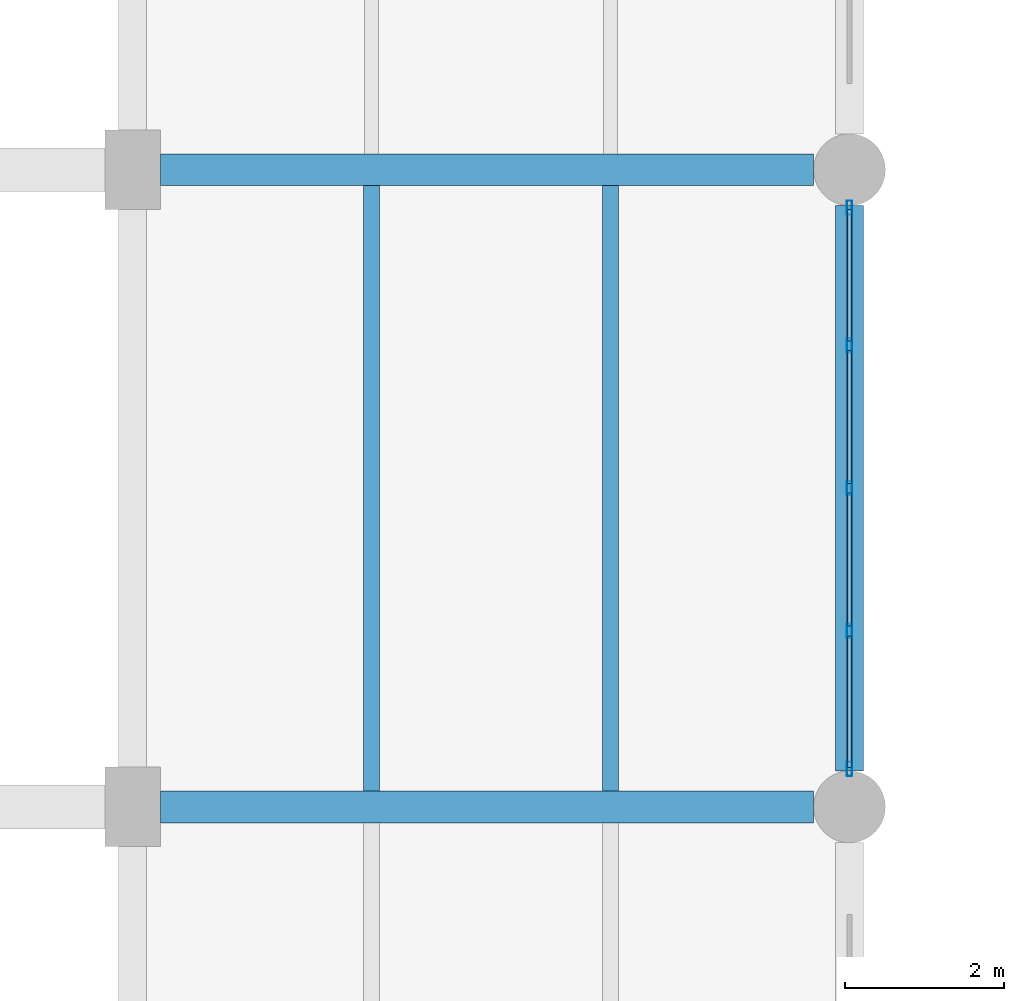
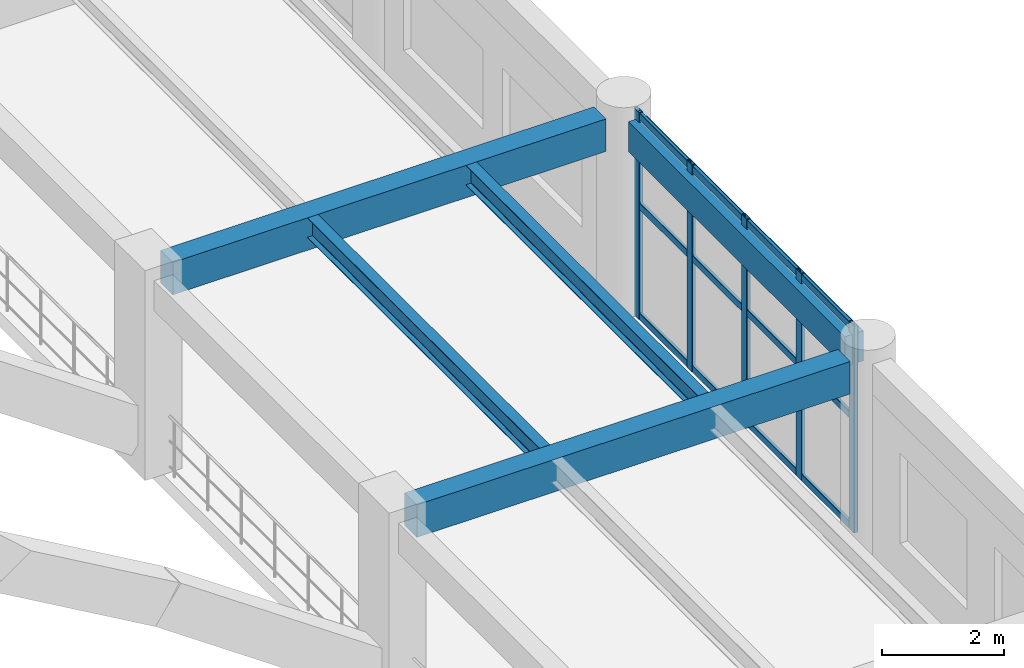
# One storey, part 77 of 148: 17 members, 5 beams, 1 element without a shape of its own.
"""IFC4 building model written with IfcOpenShell, lengths in metres."""

from ifc_helpers import new_model, si_unit, derived_unit, direction, frame, origin, origin_2d, place, context, subcontext, project, spatial, rectangle, hollow_rectangle, i_section, extrude, material, material_profile, profile_set, type_object, element, aggregate, save


model = new_model("IFC4")

# Units and contexts
model_context = context("Model", 3, precision=1e-05, world=origin(), true_north=direction((0.0, 1.0)))
body_context = subcontext(model_context, "Body", "Model", "MODEL_VIEW")
ifc_project = project(units=[si_unit("LENGTHUNIT", "METRE"), si_unit("AREAUNIT", "SQUARE_METRE"), si_unit("VOLUMEUNIT", "CUBIC_METRE"), si_unit("PLANEANGLEUNIT", "RADIAN"), si_unit("MASSUNIT", "GRAM", prefix="KILO"), derived_unit("THERMALTRANSMITTANCEUNIT", [(si_unit("MASSUNIT", "GRAM", prefix="KILO"), 1), (si_unit("TIMEUNIT", "SECOND"), -3), (si_unit("THERMODYNAMICTEMPERATUREUNIT", "KELVIN"), -1)])], contexts=[model_context])

# Site, building, storey
site_placement = place(None, origin())
site = spatial("IfcSite", under=ifc_project, at=site_placement, CompositionType="ELEMENT")
building_placement = place(site_placement, origin())
building = spatial("IfcBuilding", under=site, at=building_placement, Name="Zhenchuan Archway Interchange", CompositionType="ELEMENT")
storey_placement = place(building_placement, frame((0.0, 0.0, 10.199951171875)))
storey = spatial("IfcBuildingStorey", under=building, at=storey_placement, Name="L02", CompositionType="ELEMENT", Elevation=10.199951171875)

# Beams
ifc_material_1 = material(Name="Concrete C40", Category="concrete")
ifc_material_profile_1 = material_profile(ifc_material_1, rectangle(XDim=0.39990234375, YDim=0.64990234375, at=origin_2d()), Name="RC 400x650")
ifc_profile_set_1 = profile_set([ifc_material_profile_1], Name="Concrete C40")
beam_type_1 = type_object("IfcBeamType", Name="BM_RC_400x650", PredefinedType="BEAM", material=ifc_profile_set_1)
for number, where, z_axis, x_axis, name in (
    (1, (63.35009765625, 64.0, 3.614990234375), (1.0, 0.0, 0.0), (0.0, 1.0, 0.0), "Beam J:8-9 (L02)"),
    (2, (63.35009765625, 72.0, 3.614990234375), (1.0, 0.0, 0.0), (0.0, 1.0, 0.0), "Beam K:8-9 (L02)"),
):
    element("IfcBeam", number, at=place(storey_placement, frame(where, z_axis=z_axis, x_axis=x_axis)), inside=storey, type_object=beam_type_1, Name=name, PredefinedType="BEAM", context=body_context, shape_type="SweptSolid", body=[
        extrude(rectangle(XDim=0.39990234375, YDim=0.64990234375, at=origin_2d()), origin(), (0.0, 0.0, 1.0), 8.199951171875),
    ])

# Curtain wall, members
ifc_material_2 = material(Name="Anodised Aluminium", Category="aluminium")
curtain_wall_type = type_object("IfcCurtainWallType", Name="CW_UNIT_1", PredefinedType="NOTDEFINED", material=ifc_material_2)
curtain_wall_placement = place(storey_placement, origin())
curtain_wall = element("IfcCurtainWall", 3, at=curtain_wall_placement, inside=storey, type_object=curtain_wall_type, Name="Unitised curtain wall CW:L02:120", PredefinedType="NOTDEFINED")
ifc_material_profile_2 = material_profile(ifc_material_2, hollow_rectangle(XDim=0.070068359375, YDim=0.179931640625, WallThickness=0.00390625, InnerFilletRadius=0.00390625, OuterFilletRadius=0.008056640625, at=origin_2d()), Name="ALU 180x70x4")
ifc_profile_set_2 = profile_set([ifc_material_profile_2], Name="Anodised Aluminium")
member_type_1 = type_object("IfcMemberType", Name="CW_MUL_180", PredefinedType="MULLION", material=ifc_profile_set_2)
member_1_placement = place(storey_placement, frame((72.0, 71.52294921875, 0.0), z_axis=(0.0, 0.0, 1.0), x_axis=(1.0, 0.0, 0.0)))
member_1 = element("IfcMember", 4, at=member_1_placement, type_object=member_type_1, Name="CW:L02:120 mullion 0", PredefinedType="MULLION", context=body_context, shape_type="SweptSolid", body=[
    extrude(hollow_rectangle(XDim=0.070068359375, YDim=0.179931640625, WallThickness=0.00390625, InnerFilletRadius=0.00390625, OuterFilletRadius=0.008056640625, at=origin_2d()), origin(), (0.0, 0.0, 1.0), 4.14013671875),
])
member_2_placement = place(storey_placement, frame((72.0, 69.79150390625, 0.0), z_axis=(0.0, 0.0, 1.0), x_axis=(1.0, 0.0, 0.0)))
member_2 = element("IfcMember", 5, at=member_2_placement, type_object=member_type_1, Name="CW:L02:120 mullion 1", PredefinedType="MULLION", context=body_context, shape_type="SweptSolid", body=[
    extrude(hollow_rectangle(XDim=0.070068359375, YDim=0.179931640625, WallThickness=0.00390625, InnerFilletRadius=0.00390625, OuterFilletRadius=0.008056640625, at=origin_2d()), origin(), (0.0, 0.0, 1.0), 4.14013671875),
])
member_3_placement = place(storey_placement, frame((72.0, 68.0, 0.0), z_axis=(0.0, 0.0, 1.0), x_axis=(1.0, 0.0, 0.0)))
member_3 = element("IfcMember", 6, at=member_3_placement, type_object=member_type_1, Name="CW:L02:120 mullion 2", PredefinedType="MULLION", context=body_context, shape_type="SweptSolid", body=[
    extrude(hollow_rectangle(XDim=0.070068359375, YDim=0.179931640625, WallThickness=0.00390625, InnerFilletRadius=0.00390625, OuterFilletRadius=0.008056640625, at=origin_2d()), origin(), (0.0, 0.0, 1.0), 4.14013671875),
])
member_4_placement = place(storey_placement, frame((72.0, 66.20849609375, 0.0), z_axis=(0.0, 0.0, 1.0), x_axis=(1.0, 0.0, 0.0)))
member_4 = element("IfcMember", 7, at=member_4_placement, type_object=member_type_1, Name="CW:L02:120 mullion 3", PredefinedType="MULLION", context=body_context, shape_type="SweptSolid", body=[
    extrude(hollow_rectangle(XDim=0.070068359375, YDim=0.179931640625, WallThickness=0.00390625, InnerFilletRadius=0.00390625, OuterFilletRadius=0.008056640625, at=origin_2d()), origin(), (0.0, 0.0, 1.0), 4.14013671875),
])
member_5_placement = place(storey_placement, frame((72.0, 64.47705078125, 0.0), z_axis=(0.0, 0.0, 1.0), x_axis=(1.0, 0.0, 0.0)))
member_5 = element("IfcMember", 8, at=member_5_placement, type_object=member_type_1, Name="CW:L02:120 mullion 4", PredefinedType="MULLION", context=body_context, shape_type="SweptSolid", body=[
    extrude(hollow_rectangle(XDim=0.070068359375, YDim=0.179931640625, WallThickness=0.00390625, InnerFilletRadius=0.00390625, OuterFilletRadius=0.008056640625, at=origin_2d()), origin(), (0.0, 0.0, 1.0), 4.14013671875),
])
ifc_material_profile_3 = material_profile(ifc_material_2, hollow_rectangle(XDim=0.06005859375, YDim=0.139892578125, WallThickness=0.00341796875, InnerFilletRadius=0.00341796875, OuterFilletRadius=0.007080078125, at=origin_2d()), Name="ALU 140x60x3.5")
ifc_profile_set_3 = profile_set([ifc_material_profile_3], Name="Anodised Aluminium")
member_type_2 = type_object("IfcMemberType", Name="CW_TRN_140", PredefinedType="USERDEFINED", material=ifc_profile_set_3)
member_6_placement = place(storey_placement, frame((72.0, 71.5029296875, 0.06005859375), z_axis=(0.0, -1.0, 0.0), x_axis=(1.0, 0.0, 0.0)))
member_6 = element("IfcMember", 9, at=member_6_placement, type_object=member_type_2, Name="CW:L02:120 transom 0-1", ObjectType="TRANSOM", PredefinedType="USERDEFINED", context=body_context, shape_type="SweptSolid", body=[
    extrude(hollow_rectangle(XDim=0.06005859375, YDim=0.139892578125, WallThickness=0.00341796875, InnerFilletRadius=0.00341796875, OuterFilletRadius=0.007080078125, at=origin_2d()), origin(), (0.0, 0.0, 1.0), 1.6513671875),
])
member_7_placement = place(storey_placement, frame((72.0, 71.5029296875, 2.26611328125), z_axis=(0.0, -1.0, 0.0), x_axis=(1.0, 0.0, 0.0)))
member_7 = element("IfcMember", 10, at=member_7_placement, type_object=member_type_2, Name="CW:L02:120 transom 0-2", ObjectType="TRANSOM", PredefinedType="USERDEFINED", context=body_context, shape_type="SweptSolid", body=[
    extrude(hollow_rectangle(XDim=0.06005859375, YDim=0.139892578125, WallThickness=0.00341796875, InnerFilletRadius=0.00341796875, OuterFilletRadius=0.007080078125, at=origin_2d()), origin(), (0.0, 0.0, 1.0), 1.6513671875),
])
member_8_placement = place(storey_placement, frame((72.0, 71.5029296875, 4.06005859375), z_axis=(0.0, -1.0, 0.0), x_axis=(1.0, 0.0, 0.0)))
member_8 = element("IfcMember", 11, at=member_8_placement, type_object=member_type_2, Name="CW:L02:120 transom 0-3", ObjectType="TRANSOM", PredefinedType="USERDEFINED", context=body_context, shape_type="SweptSolid", body=[
    extrude(hollow_rectangle(XDim=0.06005859375, YDim=0.139892578125, WallThickness=0.00341796875, InnerFilletRadius=0.00341796875, OuterFilletRadius=0.007080078125, at=origin_2d()), origin(), (0.0, 0.0, 1.0), 1.6513671875),
])
member_9_placement = place(storey_placement, frame((72.0, 69.7314453125, 0.06005859375), z_axis=(0.0, -1.0, 0.0), x_axis=(1.0, 0.0, 0.0)))
member_9 = element("IfcMember", 12, at=member_9_placement, type_object=member_type_2, Name="CW:L02:120 transom 1-1", ObjectType="TRANSOM", PredefinedType="USERDEFINED", context=body_context, shape_type="SweptSolid", body=[
    extrude(hollow_rectangle(XDim=0.06005859375, YDim=0.139892578125, WallThickness=0.00341796875, InnerFilletRadius=0.00341796875, OuterFilletRadius=0.007080078125, at=origin_2d()), origin(), (0.0, 0.0, 1.0), 1.67138671875),
])
member_10_placement = place(storey_placement, frame((72.0, 69.7314453125, 2.26611328125), z_axis=(0.0, -1.0, 0.0), x_axis=(1.0, 0.0, 0.0)))
member_10 = element("IfcMember", 13, at=member_10_placement, type_object=member_type_2, Name="CW:L02:120 transom 1-2", ObjectType="TRANSOM", PredefinedType="USERDEFINED", context=body_context, shape_type="SweptSolid", body=[
    extrude(hollow_rectangle(XDim=0.06005859375, YDim=0.139892578125, WallThickness=0.00341796875, InnerFilletRadius=0.00341796875, OuterFilletRadius=0.007080078125, at=origin_2d()), origin(), (0.0, 0.0, 1.0), 1.67138671875),
])
member_11_placement = place(storey_placement, frame((72.0, 69.7314453125, 4.06005859375), z_axis=(0.0, -1.0, 0.0), x_axis=(1.0, 0.0, 0.0)))
member_11 = element("IfcMember", 14, at=member_11_placement, type_object=member_type_2, Name="CW:L02:120 transom 1-3", ObjectType="TRANSOM", PredefinedType="USERDEFINED", context=body_context, shape_type="SweptSolid", body=[
    extrude(hollow_rectangle(XDim=0.06005859375, YDim=0.139892578125, WallThickness=0.00341796875, InnerFilletRadius=0.00341796875, OuterFilletRadius=0.007080078125, at=origin_2d()), origin(), (0.0, 0.0, 1.0), 1.67138671875),
])
member_12_placement = place(storey_placement, frame((72.0, 67.93994140625, 0.06005859375), z_axis=(0.0, -1.0, 0.0), x_axis=(1.0, 0.0, 0.0)))
member_12 = element("IfcMember", 15, at=member_12_placement, type_object=member_type_2, Name="CW:L02:120 transom 2-1", ObjectType="TRANSOM", PredefinedType="USERDEFINED", context=body_context, shape_type="SweptSolid", body=[
    extrude(hollow_rectangle(XDim=0.06005859375, YDim=0.139892578125, WallThickness=0.00341796875, InnerFilletRadius=0.00341796875, OuterFilletRadius=0.007080078125, at=origin_2d()), origin(), (0.0, 0.0, 1.0), 1.67138671875),
])
member_13_placement = place(storey_placement, frame((72.0, 67.93994140625, 2.26611328125), z_axis=(0.0, -1.0, 0.0), x_axis=(1.0, 0.0, 0.0)))
member_13 = element("IfcMember", 16, at=member_13_placement, type_object=member_type_2, Name="CW:L02:120 transom 2-2", ObjectType="TRANSOM", PredefinedType="USERDEFINED", context=body_context, shape_type="SweptSolid", body=[
    extrude(hollow_rectangle(XDim=0.06005859375, YDim=0.139892578125, WallThickness=0.00341796875, InnerFilletRadius=0.00341796875, OuterFilletRadius=0.007080078125, at=origin_2d()), origin(), (0.0, 0.0, 1.0), 1.67138671875),
])
member_14_placement = place(storey_placement, frame((72.0, 67.93994140625, 4.06005859375), z_axis=(0.0, -1.0, 0.0), x_axis=(1.0, 0.0, 0.0)))
member_14 = element("IfcMember", 17, at=member_14_placement, type_object=member_type_2, Name="CW:L02:120 transom 2-3", ObjectType="TRANSOM", PredefinedType="USERDEFINED", context=body_context, shape_type="SweptSolid", body=[
    extrude(hollow_rectangle(XDim=0.06005859375, YDim=0.139892578125, WallThickness=0.00341796875, InnerFilletRadius=0.00341796875, OuterFilletRadius=0.007080078125, at=origin_2d()), origin(), (0.0, 0.0, 1.0), 1.67138671875),
])
member_15_placement = place(storey_placement, frame((72.0, 66.1484375, 0.06005859375), z_axis=(0.0, -1.0, 0.0), x_axis=(1.0, 0.0, 0.0)))
member_15 = element("IfcMember", 18, at=member_15_placement, type_object=member_type_2, Name="CW:L02:120 transom 3-1", ObjectType="TRANSOM", PredefinedType="USERDEFINED", context=body_context, shape_type="SweptSolid", body=[
    extrude(hollow_rectangle(XDim=0.06005859375, YDim=0.139892578125, WallThickness=0.00341796875, InnerFilletRadius=0.00341796875, OuterFilletRadius=0.007080078125, at=origin_2d()), origin(), (0.0, 0.0, 1.0), 1.6513671875),
])
member_16_placement = place(storey_placement, frame((72.0, 66.1484375, 2.26611328125), z_axis=(0.0, -1.0, 0.0), x_axis=(1.0, 0.0, 0.0)))
member_16 = element("IfcMember", 19, at=member_16_placement, type_object=member_type_2, Name="CW:L02:120 transom 3-2", ObjectType="TRANSOM", PredefinedType="USERDEFINED", context=body_context, shape_type="SweptSolid", body=[
    extrude(hollow_rectangle(XDim=0.06005859375, YDim=0.139892578125, WallThickness=0.00341796875, InnerFilletRadius=0.00341796875, OuterFilletRadius=0.007080078125, at=origin_2d()), origin(), (0.0, 0.0, 1.0), 1.6513671875),
])
member_17_placement = place(storey_placement, frame((72.0, 66.1484375, 4.06005859375), z_axis=(0.0, -1.0, 0.0), x_axis=(1.0, 0.0, 0.0)))
member_17 = element("IfcMember", 20, at=member_17_placement, type_object=member_type_2, Name="CW:L02:120 transom 3-3", ObjectType="TRANSOM", PredefinedType="USERDEFINED", context=body_context, shape_type="SweptSolid", body=[
    extrude(hollow_rectangle(XDim=0.06005859375, YDim=0.139892578125, WallThickness=0.00341796875, InnerFilletRadius=0.00341796875, OuterFilletRadius=0.007080078125, at=origin_2d()), origin(), (0.0, 0.0, 1.0), 1.6513671875),
])
aggregate(curtain_wall, [member_1, member_2, member_3, member_4, member_5, member_6, member_7, member_8, member_9, member_10, member_11, member_12, member_13, member_14, member_15, member_16, member_17])

# Beams
ifc_material_3 = material(Name="Steel Q355", Category="steel")
ifc_material_profile_4 = material_profile(ifc_material_3, i_section(OverallWidth=0.199951171875, OverallDepth=0.39990234375, WebThickness=0.008056640625, FlangeThickness=0.012939453125, FilletRadius=0.01611328125, at=origin_2d()), Name="HN 400x200")
ifc_profile_set_4 = profile_set([ifc_material_profile_4], Name="Steel Q355")
beam_type_2 = type_object("IfcBeamType", Name="JST_STL_HN400", PredefinedType="JOIST", material=ifc_profile_set_4)
for number, where, z_axis, x_axis, name in (
    (21, (66.0, 64.199951171875, 3.739990234375), (0.0, 1.0, 0.0), (-1.0, 0.0, 0.0), "Secondary joist 8-9/J-K #1 (L02)"),
    (22, (69.0, 64.199951171875, 3.739990234375), (0.0, 1.0, 0.0), (-1.0, 0.0, 0.0), "Secondary joist 8-9/J-K #2 (L02)"),
):
    element("IfcBeam", number, at=place(storey_placement, frame(where, z_axis=z_axis, x_axis=x_axis)), inside=storey, type_object=beam_type_2, Name=name, PredefinedType="JOIST", context=body_context, shape_type="SweptSolid", body=[
        extrude(i_section(OverallWidth=0.199951171875, OverallDepth=0.39990234375, WebThickness=0.008056640625, FlangeThickness=0.012939453125, FilletRadius=0.01611328125, at=origin_2d()), origin(), (0.0, 0.0, 1.0), 7.60009765625),
    ])
ifc_material_profile_5 = material_profile(ifc_material_1, rectangle(XDim=0.35009765625, YDim=0.60009765625, at=origin_2d()), Name="RC 350x600")
ifc_profile_set_5 = profile_set([ifc_material_profile_5], Name="Concrete C40")
beam_type_3 = type_object("IfcBeamType", Name="SP_RC_350x600", PredefinedType="SPANDREL", material=ifc_profile_set_5)
beam_placement = place(storey_placement, frame((72.0, 64.449951171875, 3.64013671875), z_axis=(0.0, 1.0, 0.0), x_axis=(-1.0, 0.0, 0.0)))
element("IfcBeam", 23, at=beam_placement, inside=storey, type_object=beam_type_3, Name="Beam 9:J-K (L02)", PredefinedType="SPANDREL", context=body_context, shape_type="SweptSolid", body=[
    extrude(rectangle(XDim=0.35009765625, YDim=0.60009765625, at=origin_2d()), origin(), (0.0, 0.0, 1.0), 7.10009765625),
])

save(model, "model.ifc")
